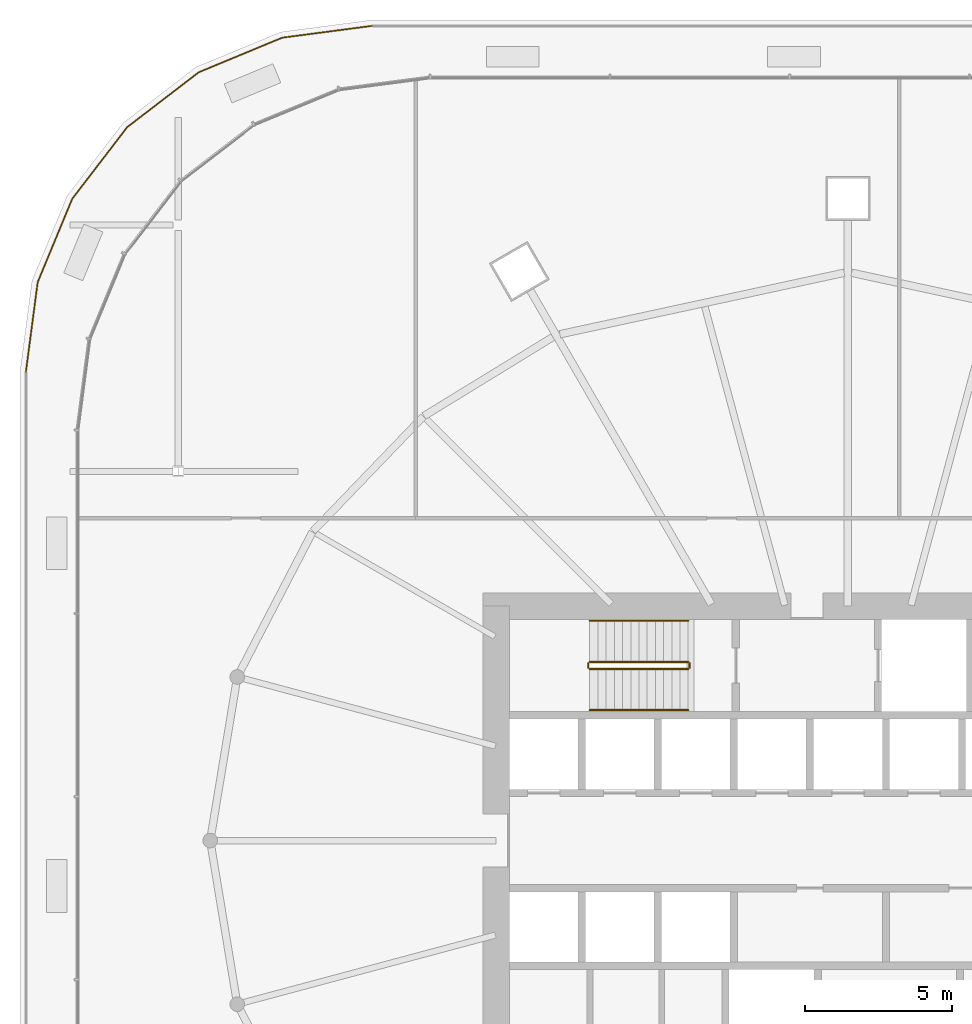
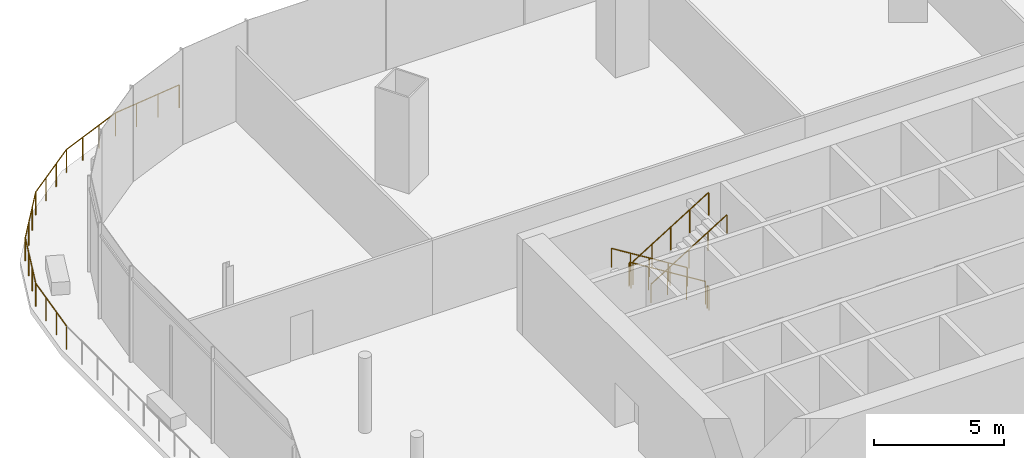
# One storey, part 42 of 49: 7 railings.
"""IFC4 building model written with IfcOpenShell, lengths in metres."""

from ifc_helpers import new_model, si_unit, direction, frame, origin, origin_2d, place, context, subcontext, project, spatial, circle, extrude, material, type_object, element, save


model = new_model("IFC4")

# Units and contexts
model_context = context("Model", 3, precision=1e-05, world=origin(), true_north=direction((0.0, 1.0)))
body_context = subcontext(model_context, "Body", "Model", "MODEL_VIEW")
ifc_project = project(units=[si_unit("LENGTHUNIT", "METRE"), si_unit("AREAUNIT", "SQUARE_METRE"), si_unit("VOLUMEUNIT", "CUBIC_METRE"), si_unit("PLANEANGLEUNIT", "RADIAN"), si_unit("MASSUNIT", "GRAM", prefix="KILO")], contexts=[model_context])

# Site, building, storey
site_placement = place(None, origin())
site = spatial("IfcSite", under=ifc_project, at=site_placement, CompositionType="ELEMENT")
building_placement = place(site_placement, origin())
building = spatial("IfcBuilding", under=site, at=building_placement, Name="Rimbun Link Towers", CompositionType="ELEMENT")
storey_placement = place(building_placement, frame((0.0, 0.0, 25.5)))
storey = spatial("IfcBuildingStorey", under=building, at=storey_placement, Name="L05", CompositionType="ELEMENT", Elevation=25.5)

# Railings
ifc_material_1 = material(Name="Toughened laminated glass, stainless steel grade 316 posts and cap rail", Category="steel")
railing_type_1 = type_object("IfcRailingType", Name="GUARD glass balustrade with stainless cap rail", PredefinedType="BALUSTRADE", material=ifc_material_1)
railing_1_placement = place(storey_placement, frame((-47.98681640625, 27.800048828125, 0.0)))
element("IfcRailing", 1, at=railing_1_placement, inside=storey, type_object=railing_type_1, Name="GUARD glass balustrade", PredefinedType="BALUSTRADE", context=body_context, shape_type="SweptSolid", body=[
    extrude(circle(Radius=0.02392578125, at=origin_2d()), frame((0.0, 0.0, 1.076171875), z_axis=(-0.991443009305, -0.130540259305, 0.0), x_axis=(0.130540259305, -0.991443009305, 0.0)), (0.0, 0.0, 1.0), 3.09326171875),
    extrude(circle(Radius=0.02392578125, at=origin_2d()), frame((-3.06689453125, -0.40380859375, 1.076171875), z_axis=(-0.92386997747, -0.382706499462, 0.0), x_axis=(0.382706499462, -0.92386997747, 0.0)), (0.0, 0.0, 1.0), 3.079833984375),
    extrude(circle(Radius=0.02392578125, at=origin_2d()), frame((-5.912353515625, -1.58251953125, 1.076171875), z_axis=(-0.793398353015, -0.608702762794, 0.0), x_axis=(0.608702762794, -0.793398353015, 0.0)), (0.0, 0.0, 1.0), 3.079833984375),
    extrude(circle(Radius=0.02392578125, at=origin_2d()), frame((-8.35595703125, -3.457275390625, 1.076171875), z_axis=(-0.608702762794, -0.793398353015, 0.0), x_axis=(0.793398353015, -0.608702762794, 0.0)), (0.0, 0.0, 1.0), 3.079833984375),
    extrude(circle(Radius=0.02392578125, at=origin_2d()), frame((-10.230712890625, -5.90087890625, 1.076171875), z_axis=(-0.382706499462, -0.92386997747, 0.0), x_axis=(0.92386997747, -0.382706499462, 0.0)), (0.0, 0.0, 1.0), 3.079833984375),
    extrude(circle(Radius=0.02392578125, at=origin_2d()), frame((-11.409423828125, -8.746337890625, 1.076171875), z_axis=(-0.130540259305, -0.991443009305, 0.0), x_axis=(0.991443009305, -0.130540259305, 0.0)), (0.0, 0.0, 1.0), 3.09326171875),
    extrude(circle(Radius=0.02099609375, at=origin_2d()), origin(), (0.0, 0.0, 1.0), 1.052001953125),
    extrude(circle(Radius=0.02099609375, at=origin_2d()), frame((-1.022216796875, -0.134521484375, 0.0)), (0.0, 0.0, 1.0), 1.052001953125),
    extrude(circle(Radius=0.02099609375, at=origin_2d()), frame((-2.044677734375, -0.269287109375, 0.0)), (0.0, 0.0, 1.0), 1.052001953125),
    extrude(circle(Radius=0.02099609375, at=origin_2d()), frame((-3.06689453125, -0.40380859375, 0.0)), (0.0, 0.0, 1.0), 1.052001953125),
    extrude(circle(Radius=0.02099609375, at=origin_2d()), frame((-4.015380859375, -0.796630859375, 0.0)), (0.0, 0.0, 1.0), 1.052001953125),
    extrude(circle(Radius=0.02099609375, at=origin_2d()), frame((-4.9638671875, -1.189697265625, 0.0)), (0.0, 0.0, 1.0), 1.052001953125),
    extrude(circle(Radius=0.02099609375, at=origin_2d()), frame((-5.912353515625, -1.58251953125, 0.0)), (0.0, 0.0, 1.0), 1.052001953125),
    extrude(circle(Radius=0.02099609375, at=origin_2d()), frame((-6.726806640625, -2.20751953125, 0.0)), (0.0, 0.0, 1.0), 1.052001953125),
    extrude(circle(Radius=0.02099609375, at=origin_2d()), frame((-7.54150390625, -2.832275390625, 0.0)), (0.0, 0.0, 1.0), 1.052001953125),
    extrude(circle(Radius=0.02099609375, at=origin_2d()), frame((-8.35595703125, -3.457275390625, 0.0)), (0.0, 0.0, 1.0), 1.052001953125),
    extrude(circle(Radius=0.02099609375, at=origin_2d()), frame((-8.98095703125, -4.271728515625, 0.0)), (0.0, 0.0, 1.0), 1.052001953125),
    extrude(circle(Radius=0.02099609375, at=origin_2d()), frame((-9.605712890625, -5.08642578125, 0.0)), (0.0, 0.0, 1.0), 1.052001953125),
    extrude(circle(Radius=0.02099609375, at=origin_2d()), frame((-10.230712890625, -5.90087890625, 0.0)), (0.0, 0.0, 1.0), 1.052001953125),
    extrude(circle(Radius=0.02099609375, at=origin_2d()), frame((-10.62353515625, -6.849365234375, 0.0)), (0.0, 0.0, 1.0), 1.052001953125),
    extrude(circle(Radius=0.02099609375, at=origin_2d()), frame((-11.0166015625, -7.7978515625, 0.0)), (0.0, 0.0, 1.0), 1.052001953125),
    extrude(circle(Radius=0.02099609375, at=origin_2d()), frame((-11.409423828125, -8.746337890625, 0.0)), (0.0, 0.0, 1.0), 1.052001953125),
    extrude(circle(Radius=0.02099609375, at=origin_2d()), frame((-11.5439453125, -9.7685546875, 0.0)), (0.0, 0.0, 1.0), 1.052001953125),
    extrude(circle(Radius=0.02099609375, at=origin_2d()), frame((-11.6787109375, -10.791015625, 0.0)), (0.0, 0.0, 1.0), 1.052001953125),
    extrude(circle(Radius=0.02099609375, at=origin_2d()), frame((-11.813232421875, -11.813232421875, 0.0)), (0.0, 0.0, 1.0), 1.052001953125),
])
ifc_material_2 = material(Name="Stainless steel grade 316", Category="steel")
railing_type_2 = type_object("IfcRailingType", Name="Stair guard", PredefinedType="GUARDRAIL", material=ifc_material_2)
railing_2_placement = place(storey_placement, frame((-37.199951171875, 6.10009765625, 0.173095703125)))
element("IfcRailing", 2, at=railing_2_placement, inside=storey, type_object=railing_type_2, Name="L05 ST1 stair guard 1", PredefinedType="GUARDRAIL", context=body_context, shape_type="SweptSolid", body=[
    extrude(circle(Radius=0.02392578125, at=origin_2d()), frame((0.0, 0.0, 1.076171875), z_axis=(-0.850623216509, 0.0, 0.525775754039), x_axis=(0.0, -1.0, 0.0)), (0.0, 0.0, 1.0), 3.9501953125),
    extrude(circle(Radius=0.02099609375, at=origin_2d()), origin(), (0.0, 0.0, 1.0), 1.052001953125),
    extrude(circle(Radius=0.02099609375, at=origin_2d()), frame((-0.840087890625, 0.0, 0.519287109375)), (0.0, 0.0, 1.0), 1.052001953125),
    extrude(circle(Radius=0.02099609375, at=origin_2d()), frame((-1.68017578125, 0.0, 1.03857421875)), (0.0, 0.0, 1.0), 1.052001953125),
    extrude(circle(Radius=0.02099609375, at=origin_2d()), frame((-2.52001953125, 0.0, 1.5576171875)), (0.0, 0.0, 1.0), 1.052001953125),
    extrude(circle(Radius=0.02099609375, at=origin_2d()), frame((-3.360107421875, 0.0, 2.076904296875)), (0.0, 0.0, 1.0), 1.052001953125),
])
railing_3_placement = place(storey_placement, frame((-40.610107421875, 6.050048828125, 2.25)))
element("IfcRailing", 3, at=railing_3_placement, inside=storey, type_object=railing_type_2, Name="L05 ST1 stair guard 2", PredefinedType="GUARDRAIL", context=body_context, shape_type="SweptSolid", body=[
    extrude(circle(Radius=0.02392578125, at=origin_2d()), frame((0.0, 0.0, 1.076171875), z_axis=(0.0, -1.0, 0.0), x_axis=(1.0, 0.0, 0.0)), (0.0, 0.0, 1.0), 0.150146484375),
    extrude(circle(Radius=0.02099609375, at=origin_2d()), origin(), (0.0, 0.0, 1.0), 1.052001953125),
    extrude(circle(Radius=0.02099609375, at=origin_2d()), frame((0.0, -0.150146484375, 0.0)), (0.0, 0.0, 1.0), 1.052001953125),
])
railing_4_placement = place(storey_placement, frame((-40.56005859375, 5.85009765625, 2.423095703125)))
element("IfcRailing", 4, at=railing_4_placement, inside=storey, type_object=railing_type_2, Name="L05 ST1 stair guard 3", PredefinedType="GUARDRAIL", context=body_context, shape_type="SweptSolid", body=[
    extrude(circle(Radius=0.02392578125, at=origin_2d()), frame((0.0, 0.0, 1.076171875), z_axis=(0.850623216509, 0.0, 0.525775754039), x_axis=(0.0, 1.0, 0.0)), (0.0, 0.0, 1.0), 3.9501953125),
    extrude(circle(Radius=0.02099609375, at=origin_2d()), origin(), (0.0, 0.0, 1.0), 1.052001953125),
    extrude(circle(Radius=0.02099609375, at=origin_2d()), frame((0.840087890625, 0.0, 0.519287109375)), (0.0, 0.0, 1.0), 1.052001953125),
    extrude(circle(Radius=0.02099609375, at=origin_2d()), frame((1.68017578125, 0.0, 1.03857421875)), (0.0, 0.0, 1.0), 1.052001953125),
    extrude(circle(Radius=0.02099609375, at=origin_2d()), frame((2.52001953125, 0.0, 1.5576171875)), (0.0, 0.0, 1.0), 1.052001953125),
    extrude(circle(Radius=0.02099609375, at=origin_2d()), frame((3.360107421875, 0.0, 2.076904296875)), (0.0, 0.0, 1.0), 1.052001953125),
])
railing_5_placement = place(storey_placement, frame((-37.14990234375, 6.050048828125, 0.0)))
element("IfcRailing", 5, at=railing_5_placement, inside=storey, type_object=railing_type_2, Name="L05 ST1 stair guard 4", PredefinedType="GUARDRAIL", context=body_context, shape_type="SweptSolid", body=[
    extrude(circle(Radius=0.02392578125, at=origin_2d()), frame((0.0, 0.0, 1.076171875), z_axis=(0.0, -1.0, 0.0), x_axis=(1.0, 0.0, 0.0)), (0.0, 0.0, 1.0), 0.150146484375),
    extrude(circle(Radius=0.02099609375, at=origin_2d()), origin(), (0.0, 0.0, 1.0), 1.052001953125),
    extrude(circle(Radius=0.02099609375, at=origin_2d()), frame((0.0, -0.150146484375, 0.0)), (0.0, 0.0, 1.0), 1.052001953125),
])
ifc_material_3 = material(Name="Stainless steel grade 316", Category="steel")
railing_type_3 = type_object("IfcRailingType", Name="Stair handrail", PredefinedType="HANDRAIL", material=ifc_material_3)
railing_6_placement = place(storey_placement, frame((-37.199951171875, 7.5, 0.173095703125)))
element("IfcRailing", 6, at=railing_6_placement, inside=storey, type_object=railing_type_3, Name="L05 ST1 stair handrail 1", PredefinedType="HANDRAIL", context=body_context, shape_type="SweptSolid", body=[
    extrude(circle(Radius=0.02392578125, at=origin_2d()), frame((0.0, 0.0, 0.8759765625), z_axis=(-0.850623216509, 0.0, 0.525775754039), x_axis=(0.0, -1.0, 0.0)), (0.0, 0.0, 1.0), 3.9501953125),
    extrude(circle(Radius=0.02099609375, at=origin_2d()), origin(), (0.0, 0.0, 1.0), 0.851806640625),
    extrude(circle(Radius=0.02099609375, at=origin_2d()), frame((-0.840087890625, 0.0, 0.519287109375)), (0.0, 0.0, 1.0), 0.851806640625),
    extrude(circle(Radius=0.02099609375, at=origin_2d()), frame((-1.68017578125, 0.0, 1.03857421875)), (0.0, 0.0, 1.0), 0.851806640625),
    extrude(circle(Radius=0.02099609375, at=origin_2d()), frame((-2.52001953125, 0.0, 1.5576171875)), (0.0, 0.0, 1.0), 0.851806640625),
    extrude(circle(Radius=0.02099609375, at=origin_2d()), frame((-3.360107421875, 0.0, 2.076904296875)), (0.0, 0.0, 1.0), 0.851806640625),
])
railing_7_placement = place(storey_placement, frame((-40.56005859375, 4.449951171875, 2.423095703125)))
element("IfcRailing", 7, at=railing_7_placement, inside=storey, type_object=railing_type_3, Name="L05 ST1 stair handrail 2", PredefinedType="HANDRAIL", context=body_context, shape_type="SweptSolid", body=[
    extrude(circle(Radius=0.02392578125, at=origin_2d()), frame((0.0, 0.0, 0.8759765625), z_axis=(0.850623216509, 0.0, 0.525775754039), x_axis=(0.0, 1.0, 0.0)), (0.0, 0.0, 1.0), 3.9501953125),
    extrude(circle(Radius=0.02099609375, at=origin_2d()), origin(), (0.0, 0.0, 1.0), 0.851806640625),
    extrude(circle(Radius=0.02099609375, at=origin_2d()), frame((0.840087890625, 0.0, 0.519287109375)), (0.0, 0.0, 1.0), 0.851806640625),
    extrude(circle(Radius=0.02099609375, at=origin_2d()), frame((1.68017578125, 0.0, 1.03857421875)), (0.0, 0.0, 1.0), 0.851806640625),
    extrude(circle(Radius=0.02099609375, at=origin_2d()), frame((2.52001953125, 0.0, 1.5576171875)), (0.0, 0.0, 1.0), 0.851806640625),
    extrude(circle(Radius=0.02099609375, at=origin_2d()), frame((3.360107421875, 0.0, 2.076904296875)), (0.0, 0.0, 1.0), 0.851806640625),
])

save(model, "model.ifc")
